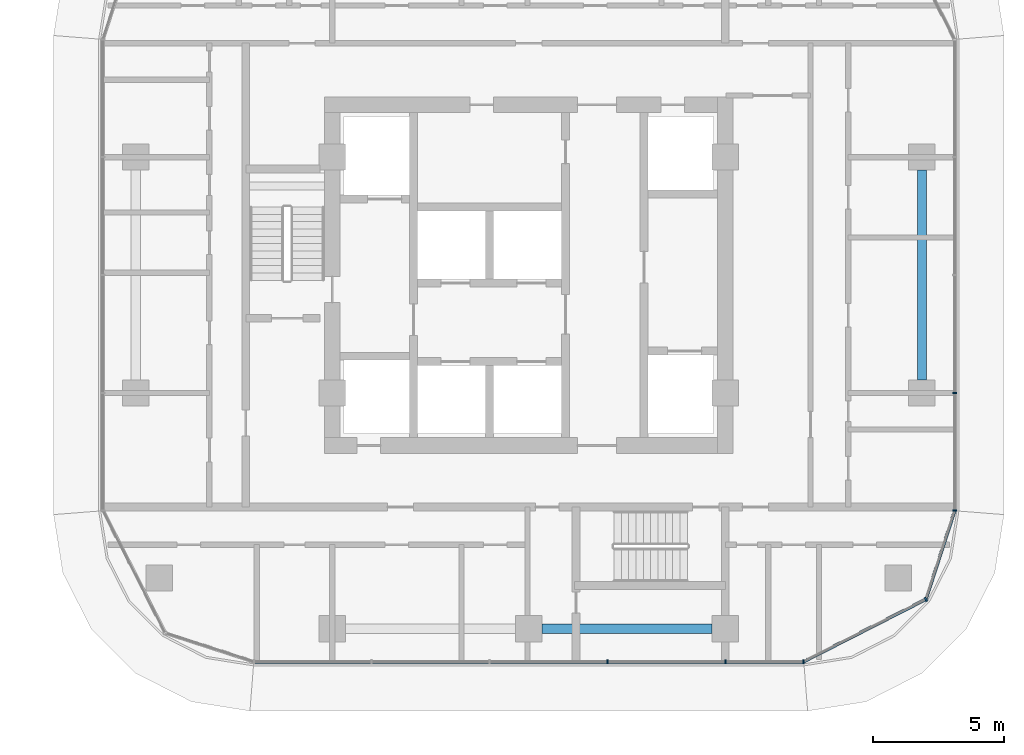
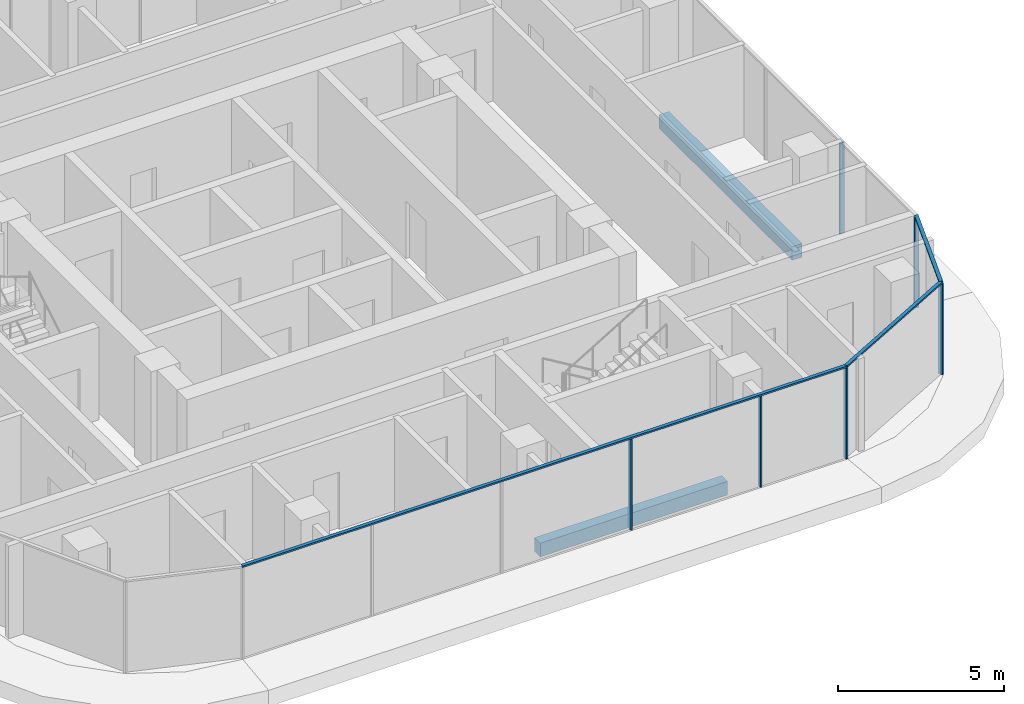
# One storey, part 11 of 39: 9 members, 2 beams, 3 elements without a shape of their own.
"""IFC4 building model written with IfcOpenShell, lengths in metres."""

import ifcopenshell
import ifcopenshell.guid

model = None  # the IFC model being written
_history = None  # IfcOwnerHistory: only IFC2X3 demands one
_inside = {}  # id of a spatial element -> (the spatial element, [elements in it])
_under = {}  # id of a project, library or spatial element -> (it, [spatial elements below it])
_declared = {}  # id of a project -> (the project, [libraries it declares])
_typed = {}  # id of a type object -> (the type object, [elements of that type])
_made_of = {}  # id of a material, layer set ... -> (it, [elements and type objects made of it])


def new_model(schema):
    """Start an empty IFC model of exactly this schema.

    Asked for "IFC4X3", IfcOpenShell would pick the latest addendum, in which some entities
    have other attributes; the version numbers below select the first issue.
    IFC2X3 requires an IfcOwnerHistory on every rooted entity: one is made here for all.
    """
    global model, _history
    if schema == "IFC4X3":
        model = ifcopenshell.file(schema_version=(4, 3, 0, 0))
    else:
        model = ifcopenshell.file(schema=schema)
    _inside.clear()
    _under.clear()
    _declared.clear()
    _typed.clear()
    _made_of.clear()
    _history = None
    if model.schema == "IFC2X3":
        org = make("IfcOrganization", Name="unknown")
        user = make(
            "IfcPersonAndOrganization",
            ThePerson=make("IfcPerson", FamilyName="unknown"),
            TheOrganization=org,
        )
        app = make(
            "IfcApplication",
            ApplicationDeveloper=org,
            Version="unknown",
            ApplicationFullName="unknown",
            ApplicationIdentifier="unknown",
        )
        _history = make(
            "IfcOwnerHistory",
            OwningUser=user,
            OwningApplication=app,
            ChangeAction="ADDED",
            CreationDate=0,
        )
    return model


def make(cls, **values):
    """One entity of the class cls with the attributes given. An attribute that is None is left unset."""
    return model.create_entity(
        cls, **{name: value for name, value in values.items() if value is not None}
    )


def rooted(cls, **values):
    """An entity with a GlobalId (a new one), such as an element, a storey or a relation."""
    return make(cls, GlobalId=ifcopenshell.guid.new(), OwnerHistory=_history, **values)


def si_unit(unit_type, name, prefix=None):
    """IfcSIUnit, for example si_unit("LENGTHUNIT", "METRE", prefix="MILLI")."""
    return make("IfcSIUnit", UnitType=unit_type, Prefix=prefix, Name=name)


def assignment(units):
    """IfcUnitAssignment: the units of a project."""
    return None if units is None else make("IfcUnitAssignment", Units=units)


def point(xyz):
    """IfcCartesianPoint."""
    return None if xyz is None else make("IfcCartesianPoint", Coordinates=xyz)


def direction(xyz):
    """IfcDirection."""
    return None if xyz is None else make("IfcDirection", DirectionRatios=xyz)


def frame(location, z_axis=None, x_axis=None):
    """IfcAxis2Placement3D, a coordinate frame: its origin and axes. An axis left out is left unset."""
    return make(
        "IfcAxis2Placement3D",
        Location=point(location),
        Axis=direction(z_axis),
        RefDirection=direction(x_axis),
    )


def frame_2d(location, x_axis=None):
    """IfcAxis2Placement2D, a coordinate frame in the plane: its origin and x axis."""
    return make(
        "IfcAxis2Placement2D", Location=point(location), RefDirection=direction(x_axis)
    )


def origin():
    """The frame at (0, 0, 0) with its axes left unset."""
    return frame((0.0, 0.0, 0.0))


def origin_2d():
    """The frame at (0, 0) in the plane with its x axis left unset."""
    return frame_2d((0.0, 0.0))


def place(relative_to, where):
    """IfcLocalPlacement: puts the frame where relative to a parent placement (None: the world)."""
    return make(
        "IfcLocalPlacement", PlacementRelTo=relative_to, RelativePlacement=where
    )


def context(
    kind, dimensions, precision=None, world=None, true_north=None, identifier=None
):
    """IfcGeometricRepresentationContext, for example the 3D "Model" context."""
    return make(
        "IfcGeometricRepresentationContext",
        ContextIdentifier=identifier,
        ContextType=kind,
        CoordinateSpaceDimension=dimensions,
        Precision=precision,
        WorldCoordinateSystem=world,
        TrueNorth=true_north,
    )


def subcontext(parent, identifier, kind, view, scale=None):
    """IfcGeometricRepresentationSubContext, for example "Body" below "Model"."""
    return make(
        "IfcGeometricRepresentationSubContext",
        ContextIdentifier=identifier,
        ContextType=kind,
        ParentContext=parent,
        TargetScale=scale,
        TargetView=view,
    )


def project(units=None, contexts=None):
    """IfcProject with its units and contexts."""
    return rooted(
        "IfcProject",
        Name="project",
        RepresentationContexts=contexts,
        UnitsInContext=assignment(units),
    )


def spatial(cls, under=None, at=None, **own):
    """A site, building, storey or space (cls), placed at a placement, below another one or the project."""
    s = rooted(cls, ObjectPlacement=at, **own)
    if under is not None:
        _under.setdefault(under.id(), (under, []))[1].append(s)
    return s


def profile(cls, at=None, kind="AREA", **sizes):
    """A parametric profile (cls). Its sizes go by their IFC names, for example OverallWidth=200.0."""
    return make(cls, ProfileType=kind, Position=at, **sizes)


def rectangle(**sizes):
    """IfcRectangleProfileDef."""
    return profile("IfcRectangleProfileDef", **sizes)


def extrude(swept, where, along, depth):
    """IfcExtrudedAreaSolid: the profile swept, set in the frame where, extruded along a direction by depth."""
    return make(
        "IfcExtrudedAreaSolid",
        SweptArea=swept,
        Position=where,
        ExtrudedDirection=direction(along),
        Depth=depth,
    )


def shape(context_of_items, identifier, shape_type, items):
    """IfcShapeRepresentation: the items that make up one representation, for example the "Body"."""
    return make(
        "IfcShapeRepresentation",
        ContextOfItems=context_of_items,
        RepresentationIdentifier=identifier,
        RepresentationType=shape_type,
        Items=items,
    )


def material(Name=None, Category=None):
    """IfcMaterial."""
    return make("IfcMaterial", Name=Name, Category=Category)


def material_profile(
    of_material, cross_section, Name=None, Category=None, Priority=None
):
    """IfcMaterialProfile: a cross section and its material."""
    return make(
        "IfcMaterialProfile",
        Name=Name,
        Material=of_material,
        Profile=cross_section,
        Priority=Priority,
        Category=Category,
    )


def profile_set(profiles, Name=None, composite=None):
    """IfcMaterialProfileSet."""
    return make(
        "IfcMaterialProfileSet",
        Name=Name,
        MaterialProfiles=profiles,
        CompositeProfile=composite,
    )


def made_of(thing, what):
    """Note that an element or type object is made of a material, layer set ...; save() writes the relation."""
    if what is not None:
        _made_of.setdefault(what.id(), (what, []))[1].append(thing)
    return thing


def type_object(cls, material=None, **own):
    """A type object (cls), such as IfcWallType, which elements share."""
    return made_of(rooted(cls, **own), material)


def element(
    cls,
    number,
    at=None,
    inside=None,
    cuts=None,
    type_object=None,
    material=None,
    context=None,
    identifier="Body",
    shape_type=None,
    held_by="IfcProductDefinitionShape",
    body=None,
    shapes=None,
    **own,
):
    """One element of the class cls, such as IfcWall. Its Tag is "e" and its number.

    at: its placement. inside: the storey or other place that contains it. cuts: it is an
    opening in that element (IfcRelVoidsElement). A single representation is given by context,
    identifier, shape_type and body (its items); several are given by shapes. held_by: the class
    of the entity that holds the representations. save() writes the other relations.
    """
    e = rooted(cls, Tag="e%d" % number, ObjectPlacement=at, **own)
    if body is not None:
        shapes = [shape(context, identifier, shape_type, body)]
    if shapes is not None:
        e.Representation = make(held_by, Representations=shapes)
    if inside is not None:
        _inside.setdefault(inside.id(), (inside, []))[1].append(e)
    if cuts is not None:
        rooted(
            "IfcRelVoidsElement", RelatingBuildingElement=cuts, RelatedOpeningElement=e
        )
    if type_object is not None:
        _typed.setdefault(type_object.id(), (type_object, []))[1].append(e)
    return made_of(e, material)


def aggregate(whole, parts):
    """IfcRelAggregates: a whole, such as a stair, and the parts it consists of."""
    return rooted("IfcRelAggregates", RelatingObject=whole, RelatedObjects=parts)


def save(model, path):
    """Write the relations noted so far, then the file.

    IfcRelAggregates (storeys below a building ...), IfcRelContainedInSpatialStructure (elements
    in a storey), IfcRelDefinesByType, IfcRelAssociatesMaterial and IfcRelDeclares: one each for
    every whole, place, type object, material and project.
    """
    for whole, parts in _under.values():
        aggregate(whole, parts)
    for where, things in _inside.values():
        rooted(
            "IfcRelContainedInSpatialStructure",
            RelatedElements=things,
            RelatingStructure=where,
        )
    for kind, things in _typed.values():
        rooted("IfcRelDefinesByType", RelatedObjects=things, RelatingType=kind)
    for what, things in _made_of.values():
        rooted("IfcRelAssociatesMaterial", RelatedObjects=things, RelatingMaterial=what)
    for by, libraries in _declared.values():
        rooted("IfcRelDeclares", RelatingContext=by, RelatedDefinitions=libraries)
    model.write(path)


model = new_model("IFC4")

# Units and contexts
model_context = context("Model", 3, precision=1e-05, world=origin(), true_north=direction((0.0, 1.0)))
body_context = subcontext(model_context, "Body", "Model", "MODEL_VIEW")
ifc_project = project(units=[si_unit("LENGTHUNIT", "METRE"), si_unit("AREAUNIT", "SQUARE_METRE"), si_unit("VOLUMEUNIT", "CUBIC_METRE"), si_unit("PLANEANGLEUNIT", "RADIAN"), si_unit("MASSUNIT", "GRAM", prefix="KILO")], contexts=[model_context])

# Site, building, storey
site_placement = place(None, origin())
site = spatial("IfcSite", under=ifc_project, at=site_placement, CompositionType="ELEMENT")
building_placement = place(site_placement, origin())
building = spatial("IfcBuilding", under=site, at=building_placement, Name="Ogive Portal Towers", CompositionType="ELEMENT")
storey_placement = place(building_placement, frame((0.0, 0.0, 44.60009765625)))
storey = spatial("IfcBuildingStorey", under=building, at=storey_placement, Name="L09", CompositionType="ELEMENT", Elevation=44.60009765625)

# Curtain wall, members
ifc_material_1 = material(Name="Glass, clear low-iron insulated glazing", Category="glass")
curtain_wall_type = type_object("IfcCurtainWallType", Name="CW RESIDENCES RIBBON", PredefinedType="NOTDEFINED", material=ifc_material_1)
curtain_wall_1_placement = place(storey_placement, origin())
curtain_wall_1 = element("IfcCurtainWall", 1, at=curtain_wall_1_placement, inside=storey, type_object=curtain_wall_type, Name="B:L09:f02:cw0", PredefinedType="NOTDEFINED")
ifc_material_2 = material(Name="Aluminium 6063 anodised", Category="aluminium")
ifc_material_profile_1 = material_profile(ifc_material_2, rectangle(XDim=0.159912109375, YDim=0.06005859375, at=origin_2d()), Name="AL 60x160")
ifc_profile_set_1 = profile_set([ifc_material_profile_1], Name="Aluminium 6063 anodised")
member_type_1 = type_object("IfcMemberType", Name="CW MULLION 60x160", PredefinedType="MULLION", material=ifc_profile_set_1)
member_1_placement = place(storey_placement, frame((139.5, 16.2451171875, 0.0), z_axis=(0.0, 0.0, 1.0), x_axis=(0.0, 1.0, 0.0)))
member_1 = element("IfcMember", 2, at=member_1_placement, type_object=member_type_1, Name="mullion", PredefinedType="MULLION", context=body_context, shape_type="SweptSolid", body=[
    extrude(rectangle(XDim=0.159912109375, YDim=0.06005859375, at=origin_2d()), origin(), (0.0, 0.0, 1.0), 3.33984375),
])
member_2_placement = place(storey_placement, frame((144.0, 16.2451171875, 0.0), z_axis=(0.0, 0.0, 1.0), x_axis=(0.0, 1.0, 0.0)))
member_2 = element("IfcMember", 3, at=member_2_placement, type_object=member_type_1, Name="mullion", PredefinedType="MULLION", context=body_context, shape_type="SweptSolid", body=[
    extrude(rectangle(XDim=0.159912109375, YDim=0.06005859375, at=origin_2d()), origin(), (0.0, 0.0, 1.0), 3.33984375),
])
member_3_placement = place(storey_placement, frame((146.980712890625, 16.2451171875, 0.0), z_axis=(0.0, 0.0, 1.0), x_axis=(0.0, 1.0, 0.0)))
member_3 = element("IfcMember", 4, at=member_3_placement, type_object=member_type_1, Name="mullion", PredefinedType="MULLION", context=body_context, shape_type="SweptSolid", body=[
    extrude(rectangle(XDim=0.159912109375, YDim=0.06005859375, at=origin_2d()), origin(), (0.0, 0.0, 1.0), 3.33984375),
])

curtain_wall_2_placement = place(storey_placement, origin())
curtain_wall_2 = element("IfcCurtainWall", 5, at=curtain_wall_2_placement, inside=storey, type_object=curtain_wall_type, Name="B:L09:f05:cw0", PredefinedType="NOTDEFINED")
member_4_placement = place(storey_placement, frame((152.7548828125, 22.0126953125, 0.0), z_axis=(0.0, 0.0, 1.0), x_axis=(-1.0, 0.0, 0.0)))
member_4 = element("IfcMember", 6, at=member_4_placement, type_object=member_type_1, Name="mullion", PredefinedType="MULLION", context=body_context, shape_type="SweptSolid", body=[
    extrude(rectangle(XDim=0.159912109375, YDim=0.06005859375, at=origin_2d()), origin(), (0.0, 0.0, 1.0), 3.33984375),
])
member_5_placement = place(storey_placement, frame((152.7548828125, 26.5, 0.0), z_axis=(0.0, 0.0, 1.0), x_axis=(-1.0, 0.0, 0.0)))
member_5 = element("IfcMember", 7, at=member_5_placement, type_object=member_type_1, Name="mullion", PredefinedType="MULLION", context=body_context, shape_type="SweptSolid", body=[
    extrude(rectangle(XDim=0.159912109375, YDim=0.06005859375, at=origin_2d()), origin(), (0.0, 0.0, 1.0), 3.33984375),
])
aggregate(curtain_wall_2, [member_4, member_5])

# Curtain wall, member
curtain_wall_3_placement = place(storey_placement, origin())
curtain_wall_3 = element("IfcCurtainWall", 8, at=curtain_wall_3_placement, inside=storey, type_object=curtain_wall_type, Name="B:L09:f03:cwa", PredefinedType="NOTDEFINED")
member_6_placement = place(storey_placement, frame((151.65478515625, 18.62646484375, 0.0), z_axis=(0.0, 0.0, 1.0), x_axis=(-0.45399049974, 0.891006524188, 0.0)))
member_6 = element("IfcMember", 9, at=member_6_placement, type_object=member_type_1, Name="mullion", PredefinedType="MULLION", context=body_context, shape_type="SweptSolid", body=[
    extrude(rectangle(XDim=0.159912109375, YDim=0.06005859375, at=origin_2d()), origin(), (0.0, 0.0, 1.0), 3.33984375),
])

# Member
ifc_material_profile_2 = material_profile(ifc_material_2, rectangle(XDim=0.1201171875, YDim=0.06005859375, at=origin_2d()), Name="AL 120x60")
ifc_profile_set_2 = profile_set([ifc_material_profile_2], Name="Aluminium 6063 anodised")
member_type_2 = type_object("IfcMemberType", Name="CW TRANSOM 60x120", PredefinedType="USERDEFINED", material=ifc_profile_set_2)
member_7_placement = place(storey_placement, frame((126.0126953125, 16.2451171875, 3.369873046875), z_axis=(1.0, 0.0, 0.0), x_axis=(0.0, 1.0, 0.0)))
member_7 = element("IfcMember", 10, at=member_7_placement, type_object=member_type_2, Name="transom", ObjectType="TRANSOM", PredefinedType="USERDEFINED", context=body_context, shape_type="SweptSolid", body=[
    extrude(rectangle(XDim=0.1201171875, YDim=0.06005859375, at=origin_2d()), origin(), (0.0, 0.0, 1.0), 20.968017578125),
])

aggregate(curtain_wall_1, [member_7, member_1, member_2, member_3])

member_8_placement = place(storey_placement, frame((146.980712890625, 16.2451171875, 3.369873046875), z_axis=(0.891022803147, 0.453958549068, 0.0), x_axis=(-0.453958549068, 0.891022803147, 0.0)))
member_8 = element("IfcMember", 11, at=member_8_placement, type_object=member_type_2, Name="transom", ObjectType="TRANSOM", PredefinedType="USERDEFINED", context=body_context, shape_type="SweptSolid", body=[
    extrude(rectangle(XDim=0.1201171875, YDim=0.06005859375, at=origin_2d()), origin(), (0.0, 0.0, 1.0), 5.245849609375),
])

member_9_placement = place(storey_placement, frame((151.65478515625, 18.62646484375, 3.369873046875), z_axis=(0.308977536298, 0.951069336097, 0.0), x_axis=(-0.951069336097, 0.308977536298, 0.0)))
member_9 = element("IfcMember", 12, at=member_9_placement, type_object=member_type_2, Name="transom", ObjectType="TRANSOM", PredefinedType="USERDEFINED", context=body_context, shape_type="SweptSolid", body=[
    extrude(rectangle(XDim=0.1201171875, YDim=0.06005859375, at=origin_2d()), origin(), (0.0, 0.0, 1.0), 3.560546875),
])

aggregate(curtain_wall_3, [member_8, member_9, member_6])

# Beams
ifc_material_3 = material(Name="Concrete C50/60", Category="concrete")
ifc_material_profile_3 = material_profile(ifc_material_3, rectangle(XDim=0.35009765625, YDim=0.5, at=origin_2d()), Name="RC 350x500")
ifc_profile_set_3 = profile_set([ifc_material_profile_3], Name="Concrete C50/60")
beam_type = type_object("IfcBeamType", Name="SPANDREL BEAM RC 350x500", PredefinedType="BEAM", material=ifc_profile_set_3)
beam_1_placement = place(storey_placement, frame((137.0, 17.5, -0.550048828125), z_axis=(1.0, 0.0, 0.0), x_axis=(0.0, 1.0, 0.0)))
element("IfcBeam", 13, at=beam_1_placement, inside=storey, type_object=beam_type, Name="Spandrel beam L09", PredefinedType="BEAM", context=body_context, shape_type="SweptSolid", body=[
    extrude(rectangle(XDim=0.35009765625, YDim=0.5, at=origin_2d()), origin(), (0.0, 0.0, 1.0), 6.5),
])
beam_2_placement = place(storey_placement, frame((151.5, 27.0, -0.550048828125), z_axis=(0.0, 1.0, 0.0), x_axis=(-1.0, 0.0, 0.0)))
element("IfcBeam", 14, at=beam_2_placement, inside=storey, type_object=beam_type, Name="Spandrel beam L09", PredefinedType="BEAM", context=body_context, shape_type="SweptSolid", body=[
    extrude(rectangle(XDim=0.35009765625, YDim=0.5, at=origin_2d()), origin(), (0.0, 0.0, 1.0), 8.0),
])

save(model, "model.ifc")
